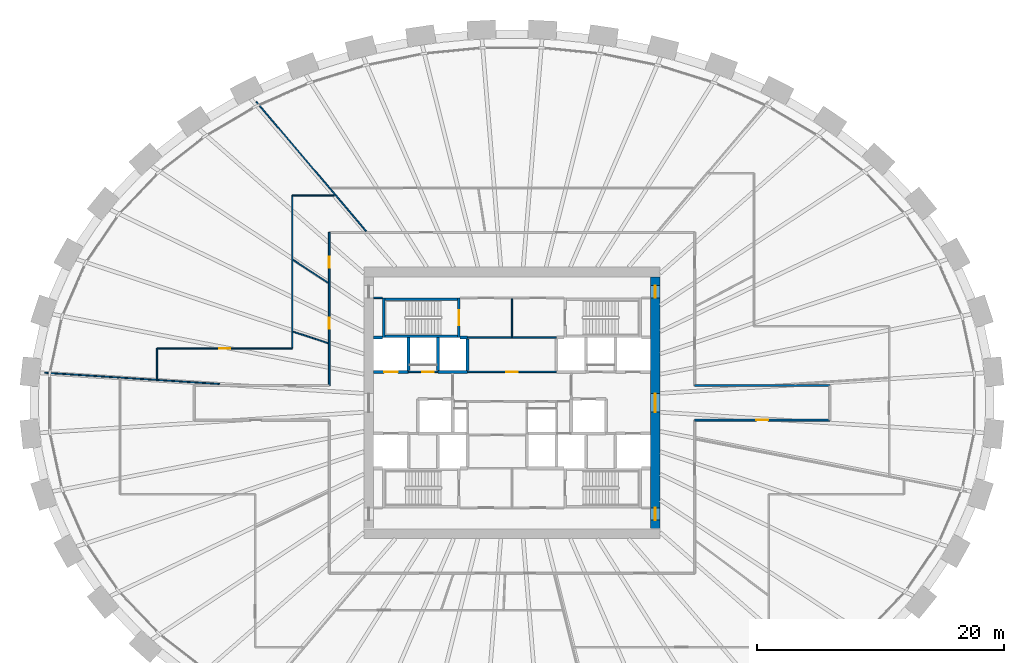
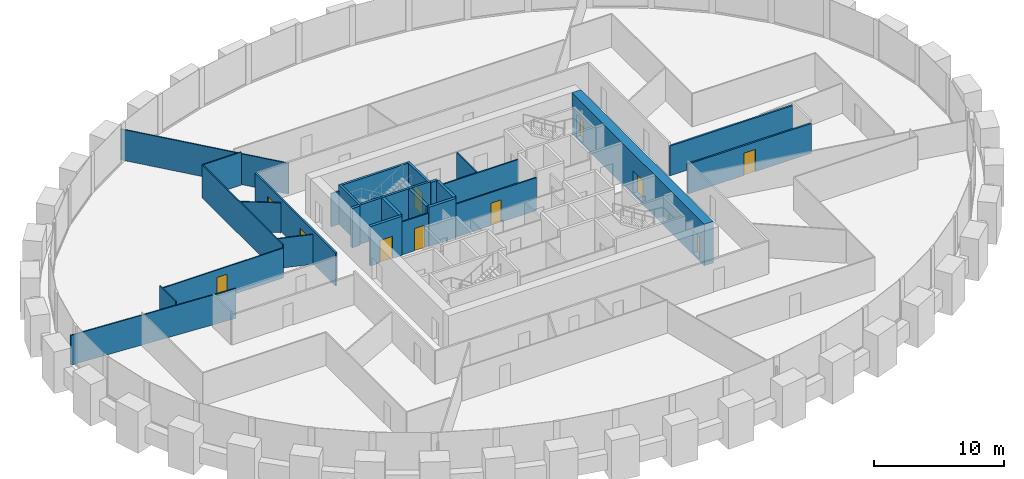
# One storey, part 8 of 11: 28 walls, 11 doors, 11 openings.
"""IFC4 building model written with IfcOpenShell, lengths in metres."""

from ifc_helpers import new_model, si_unit, direction, frame, frame_2d, origin, place, context, subcontext, project, spatial, rectangle, extrude, source, transform, mapped, material, layer, layer_set, type_object, element, fill, save


model = new_model("IFC4")

# Units and contexts
model_context = context("Model", 3, precision=1e-05, world=origin(), true_north=direction((0.0, 1.0)))
body_context = subcontext(model_context, "Body", "Model", "MODEL_VIEW")
ifc_project = project(units=[si_unit("LENGTHUNIT", "METRE"), si_unit("AREAUNIT", "SQUARE_METRE"), si_unit("VOLUMEUNIT", "CUBIC_METRE"), si_unit("PLANEANGLEUNIT", "RADIAN"), si_unit("MASSUNIT", "GRAM", prefix="KILO")], contexts=[model_context])

# Site, building, storey
site_placement = place(None, origin())
site = spatial("IfcSite", under=ifc_project, at=site_placement, CompositionType="ELEMENT")
building_placement = place(site_placement, origin())
building = spatial("IfcBuilding", under=site, at=building_placement, Name="Embergate Tower", CompositionType="ELEMENT")
storey_placement = place(building_placement, frame((0.0, 0.0, 135.89990234375)))
storey = spatial("IfcBuildingStorey", under=building, at=storey_placement, Name="L29", CompositionType="ELEMENT", Elevation=135.89990234375)

# Wall, openings, doors
ifc_material_1 = material(Name="Concrete C70", Category="concrete")
ifc_layer_1 = layer(ifc_material_1, 0.800048828125)
ifc_layer_set_1 = layer_set([ifc_layer_1], Name="Concrete C70")
wall_type_1 = type_object("IfcWallType", Name="Core outer wall C70 800", PredefinedType="SHEAR", material=ifc_layer_set_1)
shared_shape_1 = source(origin(), body_context, "Body", "SweptSolid", [
    extrude(rectangle(XDim=20.39990234375, YDim=0.800048828125, at=frame_2d((10.199951171875, 0.0))), origin(), (0.0, 0.0, 1.0), 3.900146484375),
])
wall_1_placement = place(storey_placement, frame((11.60009765625, -10.199951171875, -0.199951171875), z_axis=(0.0, 0.0, 1.0), x_axis=(0.0, 1.0, 0.0)))
wall_1 = element("IfcWall", 1, at=wall_1_placement, inside=storey, type_object=wall_type_1, Name="CW-L29-E", PredefinedType="SHEAR", context=body_context, shape_type="MappedRepresentation", body=[
    mapped(shared_shape_1, transform((0.0, 0.0, 0.0))),
])
shared_shape_2 = source(origin(), body_context, "Body", "SweptSolid", [
    extrude(rectangle(XDim=1.0, YDim=2.10009765625, at=frame_2d((0.5, 1.050048828125))), frame((0.0, 0.409912109375, 0.0), z_axis=(0.0, -1.0, 0.0), x_axis=(1.0, 0.0, 0.0)), (0.0, 0.0, 1.0), 0.820068359375),
])
opening_1_placement = place(wall_1_placement, frame((18.699951171875, 0.0, 0.199951171875)))
opening_1 = element("IfcOpeningElement", 2, at=opening_1_placement, cuts=wall_1, Name="Opening IF-1d", PredefinedType="OPENING", context=body_context, shape_type="MappedRepresentation", body=[
    mapped(shared_shape_2, transform((0.0, 0.0, 0.0))),
])
opening_2_placement = place(wall_1_placement, frame((0.699951171875, 0.0, 0.199951171875)))
opening_2 = element("IfcOpeningElement", 3, at=opening_2_placement, cuts=wall_1, Name="Opening IF-1d", PredefinedType="OPENING", context=body_context, shape_type="MappedRepresentation", body=[
    mapped(shared_shape_2, transform((0.0, 0.0, 0.0))),
])
shared_shape_3 = source(origin(), body_context, "Body", "SweptSolid", [
    extrude(rectangle(XDim=1.5, YDim=2.10009765625, at=frame_2d((0.75, 1.050048828125))), frame((0.0, 0.409912109375, 0.0), z_axis=(0.0, -1.0, 0.0), x_axis=(1.0, 0.0, 0.0)), (0.0, 0.0, 1.0), 0.820068359375),
])
opening_3_placement = place(wall_1_placement, frame((9.449951171875, 0.0, 0.199951171875)))
opening_3 = element("IfcOpeningElement", 4, at=opening_3_placement, cuts=wall_1, Name="Opening IF-3", PredefinedType="OPENING", context=body_context, shape_type="MappedRepresentation", body=[
    mapped(shared_shape_3, transform((0.0, 0.0, 0.0))),
])
ifc_material_2 = material(Name="Lobby fire door pair 1500")
door_type_1 = type_object("IfcDoorType", Name="Lobby fire door pair 1500", OperationType="DOUBLE_DOOR_SINGLE_SWING", PredefinedType="DOOR", material=ifc_material_2)
shared_shape_4 = source(origin(), body_context, "Body", "SweptSolid", [
    extrude(rectangle(XDim=1.5, YDim=2.10009765625, at=frame_2d((0.75, 1.050048828125))), frame((0.0, 0.02490234375, 0.0), z_axis=(0.0, -1.0, 0.0), x_axis=(1.0, 0.0, 0.0)), (0.0, 0.0, 1.0), 0.050048828125),
])
door_1_placement = place(opening_3_placement, origin())
door_1 = element("IfcDoor", 5, at=door_1_placement, inside=storey, type_object=door_type_1, Name="IF-3 door", OperationType="DOUBLE_DOOR_SINGLE_SWING", OverallHeight=2.10009765625, OverallWidth=1.5, PredefinedType="DOOR", context=body_context, shape_type="MappedRepresentation", body=[
    mapped(shared_shape_4, transform((0.0, 0.0, 0.0))),
])
fill(opening_3, door_1)
ifc_material_3 = material(Name="Escape fire door 1000")
door_type_2 = type_object("IfcDoorType", Name="Escape fire door 1000", OperationType="SINGLE_SWING_LEFT", PredefinedType="DOOR", material=ifc_material_3)
shared_shape_5 = source(origin(), body_context, "Body", "SweptSolid", [
    extrude(rectangle(XDim=1.0, YDim=2.10009765625, at=frame_2d((0.5, 1.050048828125))), frame((0.0, 0.02490234375, 0.0), z_axis=(0.0, -1.0, 0.0), x_axis=(1.0, 0.0, 0.0)), (0.0, 0.0, 1.0), 0.050048828125),
])
door_2_placement = place(opening_1_placement, origin())
door_2 = element("IfcDoor", 6, at=door_2_placement, inside=storey, type_object=door_type_2, Name="IF-1 door", OperationType="SINGLE_SWING_RIGHT", OverallHeight=2.10009765625, OverallWidth=1.0, PredefinedType="DOOR", context=body_context, shape_type="MappedRepresentation", body=[
    mapped(shared_shape_5, transform((0.0, 0.0, 0.0))),
])
fill(opening_1, door_2)
door_3_placement = place(opening_2_placement, origin())
door_3 = element("IfcDoor", 7, at=door_3_placement, inside=storey, type_object=door_type_2, Name="IF-1 door", OperationType="SINGLE_SWING_RIGHT", OverallHeight=2.10009765625, OverallWidth=1.0, PredefinedType="DOOR", context=body_context, shape_type="MappedRepresentation", body=[
    mapped(shared_shape_5, transform((0.0, 0.0, 0.0))),
])
fill(opening_2, door_3)

# Walls
ifc_material_4 = material(Name="Concrete C50", Category="concrete")
ifc_layer_2 = layer(ifc_material_4, 0.25)
ifc_layer_set_2 = layer_set([ifc_layer_2], Name="Concrete C50")
wall_type_2 = type_object("IfcWallType", Name="Hoistway wall reinforced concrete 250", PredefinedType="SHEAR", material=ifc_layer_set_2)
shared_shape_6 = source(origin(), body_context, "Body", "SweptSolid", [
    extrude(rectangle(XDim=2.675048828125, YDim=0.25, at=frame_2d((1.33740234375, 0.0))), origin(), (0.0, 0.0, 1.0), 3.7001953125),
])
for number, where, z_axis, x_axis, name in (
    (8, (-8.39990234375, 2.625, 0.0), (0.0, 0.0, 1.0), (0.0, 1.0, 0.0), "HW-1 wall"),
    (9, (-6.0, 2.625, 0.0), (0.0, 0.0, 1.0), (0.0, 1.0, 0.0), "HW-1 wall"),
):
    element("IfcWall", number, at=place(storey_placement, frame(where, z_axis=z_axis, x_axis=x_axis)), inside=storey, type_object=wall_type_2, Name=name, PredefinedType="SHEAR", context=body_context, shape_type="MappedRepresentation", body=[
        mapped(shared_shape_6, transform((0.0, 0.0, 0.0))),
    ])
ifc_layer_3 = layer(ifc_material_4, 0.199951171875)
ifc_layer_set_3 = layer_set([ifc_layer_3], Name="Concrete C50")
wall_type_3 = type_object("IfcWallType", Name="Stair enclosure wall reinforced concrete 250", PredefinedType="SHEAR", material=ifc_layer_set_3)
shared_shape_7 = source(origin(), body_context, "Body", "SweptSolid", [
    extrude(rectangle(XDim=6.300048828125, YDim=0.199951171875, at=frame_2d((3.14990234375, 0.0))), origin(), (0.0, 0.0, 1.0), 3.7001953125),
])
for number, where, z_axis, x_axis, name in (
    (10, (-4.199951171875, 5.39990234375, 0.0), (0.0, 0.0, 1.0), (-1.0, 0.0, 0.0), "SE-1 wall"),
    (11, (-4.199951171875, 8.39990234375, 0.0), (0.0, 0.0, 1.0), (-1.0, 0.0, 0.0), "SE-1 wall"),
):
    element("IfcWall", number, at=place(storey_placement, frame(where, z_axis=z_axis, x_axis=x_axis)), inside=storey, type_object=wall_type_3, Name=name, PredefinedType="SHEAR", context=body_context, shape_type="MappedRepresentation", body=[
        mapped(shared_shape_7, transform((0.0, 0.0, 0.0))),
    ])
shared_shape_8 = source(origin(), body_context, "Body", "SweptSolid", [
    extrude(rectangle(XDim=2.550048828125, YDim=0.25, at=frame_2d((1.27490234375, 0.0))), origin(), (0.0, 0.0, 1.0), 3.7001953125),
])
wall_2_placement = place(storey_placement, frame((-3.60009765625, 2.625, 0.0), z_axis=(0.0, 0.0, 1.0), x_axis=(0.0, 1.0, 0.0)))
element("IfcWall", 12, at=wall_2_placement, inside=storey, type_object=wall_type_2, Name="HW-1 wall", PredefinedType="SHEAR", context=body_context, shape_type="MappedRepresentation", body=[
    mapped(shared_shape_8, transform((0.0, 0.0, 0.0))),
])

# Wall, opening, door
shared_shape_9 = source(origin(), body_context, "Body", "SweptSolid", [
    extrude(rectangle(XDim=3.199951171875, YDim=0.199951171875, at=frame_2d((1.60009765625, 0.0))), origin(), (0.0, 0.0, 1.0), 3.7001953125),
])
wall_3_placement = place(storey_placement, frame((-4.300048828125, 5.300048828125, 0.0), z_axis=(0.0, 0.0, 1.0), x_axis=(0.0, 1.0, 0.0)))
wall_3 = element("IfcWall", 13, at=wall_3_placement, inside=storey, type_object=wall_type_3, Name="SE-1 wall", PredefinedType="SHEAR", context=body_context, shape_type="MappedRepresentation", body=[
    mapped(shared_shape_9, transform((0.0, 0.0, 0.0))),
])
shared_shape_10 = source(origin(), body_context, "Body", "SweptSolid", [
    extrude(rectangle(XDim=1.199951171875, YDim=2.10009765625, at=frame_2d((0.60009765625, 1.050048828125))), frame((0.0, 0.10986328125, 0.0), z_axis=(0.0, -1.0, 0.0), x_axis=(1.0, 0.0, 0.0)), (0.0, 0.0, 1.0), 0.219970703125),
])
opening_4_placement = place(wall_3_placement, frame((1.0, 0.0, 0.0)))
opening_4 = element("IfcOpeningElement", 14, at=opening_4_placement, cuts=wall_3, Name="Opening IF-2", PredefinedType="OPENING", context=body_context, shape_type="MappedRepresentation", body=[
    mapped(shared_shape_10, transform((0.0, 0.0, 0.0))),
])
ifc_material_5 = material(Name="Stair enclosure door 1200")
door_type_3 = type_object("IfcDoorType", Name="Stair enclosure door 1200", OperationType="SINGLE_SWING_LEFT", PredefinedType="DOOR", material=ifc_material_5)
shared_shape_11 = source(origin(), body_context, "Body", "SweptSolid", [
    extrude(rectangle(XDim=1.199951171875, YDim=2.10009765625, at=frame_2d((0.60009765625, 1.050048828125))), frame((0.0, 0.02490234375, 0.0), z_axis=(0.0, -1.0, 0.0), x_axis=(1.0, 0.0, 0.0)), (0.0, 0.0, 1.0), 0.050048828125),
])
door_4_placement = place(opening_4_placement, origin())
door_4 = element("IfcDoor", 15, at=door_4_placement, inside=storey, type_object=door_type_3, Name="IF-2 door", OperationType="SINGLE_SWING_LEFT", OverallHeight=2.10009765625, OverallWidth=1.199951171875, PredefinedType="DOOR", context=body_context, shape_type="MappedRepresentation", body=[
    mapped(shared_shape_11, transform((0.0, 0.0, 0.0))),
])
fill(opening_4, door_4)

# Wall
shared_shape_12 = source(origin(), body_context, "Body", "SweptSolid", [
    extrude(rectangle(XDim=2.39990234375, YDim=0.25, at=frame_2d((1.199951171875, 0.0))), origin(), (0.0, 0.0, 1.0), 3.7001953125),
])
wall_4_placement = place(storey_placement, frame((-6.0, 2.5, 0.0), z_axis=(0.0, 0.0, 1.0), x_axis=(1.0, 0.0, 0.0)))
element("IfcWall", 16, at=wall_4_placement, inside=storey, type_object=wall_type_2, Name="HW-1 wall", PredefinedType="SHEAR", context=body_context, shape_type="MappedRepresentation", body=[
    mapped(shared_shape_12, transform((0.0, 0.0, 0.0))),
])

# Wall, openings, doors
ifc_material_6 = material(Name="Corridor wall dry-lined 150 wet")
ifc_layer_4 = layer(ifc_material_6, 0.14990234375)
ifc_layer_set_4 = layer_set([ifc_layer_4], Name="Corridor wall dry-lined 150 wet")
wall_type_4 = type_object("IfcWallType", Name="Corridor wall dry-lined 150 wet", PredefinedType="PLUMBINGWALL", material=ifc_layer_set_4)
shared_shape_13 = source(origin(), body_context, "Body", "SweptSolid", [
    extrude(rectangle(XDim=12.400146484375, YDim=0.14990234375, at=frame_2d((6.2001953125, 0.0))), origin(), (0.0, 0.0, 1.0), 3.10009765625),
])
wall_5_placement = place(storey_placement, frame((-14.800048828125, 1.39990234375, 0.0), z_axis=(0.0, 0.0, 1.0), x_axis=(0.0, 1.0, 0.0)))
wall_5 = element("IfcWall", 17, at=wall_5_placement, inside=storey, type_object=wall_type_4, Name="IP-2 wall", PredefinedType="PLUMBINGWALL", context=body_context, shape_type="MappedRepresentation", body=[
    mapped(shared_shape_13, transform((0.0, 0.0, 0.0))),
])
shared_shape_14 = source(origin(), body_context, "Body", "SweptSolid", [
    extrude(rectangle(XDim=0.89990234375, YDim=2.10009765625, at=frame_2d((0.449951171875, 1.050048828125))), frame((0.0, 0.0849609375, 0.0), z_axis=(0.0, -1.0, 0.0), x_axis=(1.0, 0.0, 0.0)), (0.0, 0.0, 1.0), 0.169921875),
])
opening_5_placement = place(wall_5_placement, frame((9.5380859375, 0.0, 0.0)))
opening_5 = element("IfcOpeningElement", 18, at=opening_5_placement, cuts=wall_5, Name="Opening IF-1c", PredefinedType="OPENING", context=body_context, shape_type="MappedRepresentation", body=[
    mapped(shared_shape_14, transform((0.0, 0.0, 0.0))),
])
opening_6_placement = place(wall_5_placement, frame((4.580078125, 0.0, 0.0)))
opening_6 = element("IfcOpeningElement", 19, at=opening_6_placement, cuts=wall_5, Name="Opening IF-1c", PredefinedType="OPENING", context=body_context, shape_type="MappedRepresentation", body=[
    mapped(shared_shape_14, transform((0.0, 0.0, 0.0))),
])
ifc_material_7 = material(Name="Escape fire door 900")
door_type_4 = type_object("IfcDoorType", Name="Escape fire door 900", OperationType="SINGLE_SWING_LEFT", PredefinedType="DOOR", material=ifc_material_7)
shared_shape_15 = source(origin(), body_context, "Body", "SweptSolid", [
    extrude(rectangle(XDim=0.89990234375, YDim=2.10009765625, at=frame_2d((0.449951171875, 1.050048828125))), frame((0.0, 0.02490234375, 0.0), z_axis=(0.0, -1.0, 0.0), x_axis=(1.0, 0.0, 0.0)), (0.0, 0.0, 1.0), 0.050048828125),
])
door_5_placement = place(opening_5_placement, origin())
door_5 = element("IfcDoor", 20, at=door_5_placement, inside=storey, type_object=door_type_4, Name="IF-1 door", OperationType="SINGLE_SWING_RIGHT", OverallHeight=2.10009765625, OverallWidth=0.89990234375, PredefinedType="DOOR", context=body_context, shape_type="MappedRepresentation", body=[
    mapped(shared_shape_15, transform((0.0, 0.0, 0.0))),
])
fill(opening_5, door_5)
door_6_placement = place(opening_6_placement, origin())
door_6 = element("IfcDoor", 21, at=door_6_placement, inside=storey, type_object=door_type_4, Name="IF-1 door", OperationType="SINGLE_SWING_RIGHT", OverallHeight=2.10009765625, OverallWidth=0.89990234375, PredefinedType="DOOR", context=body_context, shape_type="MappedRepresentation", body=[
    mapped(shared_shape_15, transform((0.0, 0.0, 0.0))),
])
fill(opening_6, door_6)

# Wall, opening, door
ifc_material_8 = material(Name="Corridor wall dry-lined 150")
ifc_layer_5 = layer(ifc_material_8, 0.14990234375)
ifc_layer_set_5 = layer_set([ifc_layer_5], Name="Corridor wall dry-lined 150")
wall_type_5 = type_object("IfcWallType", Name="Corridor wall dry-lined 150", PredefinedType="PARTITIONING", material=ifc_layer_set_5)
shared_shape_16 = source(origin(), body_context, "Body", "SweptSolid", [
    extrude(rectangle(XDim=10.949951171875, YDim=0.14990234375, at=frame_2d((5.47509765625, 0.0))), origin(), (0.0, 0.0, 1.0), 2.800048828125),
])
wall_6_placement = place(storey_placement, frame((14.800048828125, -1.39990234375, 0.0), z_axis=(0.0, 0.0, 1.0), x_axis=(1.0, 0.0, 0.0)))
wall_6 = element("IfcWall", 22, at=wall_6_placement, inside=storey, type_object=wall_type_5, Name="IP-2 wall", PredefinedType="PARTITIONING", context=body_context, shape_type="MappedRepresentation", body=[
    mapped(shared_shape_16, transform((0.0, 0.0, 0.0))),
])
shared_shape_17 = source(origin(), body_context, "Body", "SweptSolid", [
    extrude(rectangle(XDim=1.0, YDim=2.10009765625, at=frame_2d((0.5, 1.050048828125))), frame((0.0, 0.0849609375, 0.0), z_axis=(0.0, -1.0, 0.0), x_axis=(1.0, 0.0, 0.0)), (0.0, 0.0, 1.0), 0.169921875),
])
opening_7_placement = place(wall_6_placement, frame((4.97509765625, 0.0, 0.0)))
opening_7 = element("IfcOpeningElement", 23, at=opening_7_placement, cuts=wall_6, Name="Opening ID-2", PredefinedType="OPENING", context=body_context, shape_type="MappedRepresentation", body=[
    mapped(shared_shape_17, transform((0.0, 0.0, 0.0))),
])
ifc_material_9 = material(Name="Interior door 1000")
door_type_5 = type_object("IfcDoorType", Name="Interior door 1000", OperationType="SINGLE_SWING_LEFT", PredefinedType="DOOR", material=ifc_material_9)
door_7_placement = place(opening_7_placement, origin())
door_7 = element("IfcDoor", 24, at=door_7_placement, inside=storey, type_object=door_type_5, Name="ID-2 door", OperationType="SINGLE_SWING_RIGHT", OverallHeight=2.10009765625, OverallWidth=1.0, PredefinedType="DOOR", context=body_context, shape_type="MappedRepresentation", body=[
    mapped(shared_shape_5, transform((0.0, 0.0, 0.0))),
])
fill(opening_7, door_7)

# Walls
wall_7_placement = place(storey_placement, frame((25.75, 1.39990234375, 0.0), z_axis=(0.0, 0.0, 1.0), x_axis=(-1.0, 0.0, 0.0)))
element("IfcWall", 25, at=wall_7_placement, inside=storey, type_object=wall_type_5, Name="IP-2 wall", PredefinedType="PARTITIONING", context=body_context, shape_type="MappedRepresentation", body=[
    mapped(shared_shape_16, transform((0.0, 0.0, 0.0))),
])
ifc_material_10 = material(Name="Partition dry-lined 100 wet")
ifc_layer_6 = layer(ifc_material_10, 0.10009765625)
ifc_layer_set_6 = layer_set([ifc_layer_6], Name="Partition dry-lined 100 wet")
wall_type_6 = type_object("IfcWallType", Name="Partition dry-lined 100 wet", PredefinedType="PLUMBINGWALL", material=ifc_layer_set_6)
shared_shape_18 = source(origin(), body_context, "Body", "SweptSolid", [
    extrude(rectangle(XDim=12.400146484375, YDim=0.10009765625, at=frame_2d((6.2001953125, 0.0))), origin(), (0.0, 0.0, 1.0), 3.10009765625),
])
wall_8_placement = place(storey_placement, frame((-17.800048828125, 4.39990234375, 0.0), z_axis=(0.0, 0.0, 1.0), x_axis=(0.0, 1.0, 0.0)))
element("IfcWall", 26, at=wall_8_placement, inside=storey, type_object=wall_type_6, Name="IP-1 wall", PredefinedType="PLUMBINGWALL", context=body_context, shape_type="MappedRepresentation", body=[
    mapped(shared_shape_18, transform((0.0, 0.0, 0.0))),
])
shared_shape_19 = source(origin(), body_context, "Body", "SweptSolid", [
    extrude(rectangle(XDim=3.368408203125, YDim=0.10009765625, at=frame_2d((1.68408203125, 0.0))), origin(), (0.0, 0.0, 1.0), 2.800048828125),
])
wall_9_placement = place(storey_placement, frame((-14.902099609375, 9.72802734375, 0.0), z_axis=(0.0, 0.0, 1.0), x_axis=(-0.837418774688, 0.546561795043, 0.0)))
element("IfcWall", 27, at=wall_9_placement, inside=storey, type_object=wall_type_6, Name="IP-1 wall", PredefinedType="PLUMBINGWALL", context=body_context, shape_type="MappedRepresentation", body=[
    mapped(shared_shape_19, transform((0.0, 0.0, 0.0))),
])
shared_shape_20 = source(origin(), body_context, "Body", "SweptSolid", [
    extrude(rectangle(XDim=3.421142578125, YDim=0.10009765625, at=frame_2d((1.71044921875, 0.0))), origin(), (0.0, 0.0, 1.0), 3.10009765625),
])
wall_10_placement = place(storey_placement, frame((-17.800048828125, 16.800048828125, 0.0), z_axis=(0.0, 0.0, 1.0), x_axis=(1.0, 0.0, 0.0)))
element("IfcWall", 28, at=wall_10_placement, inside=storey, type_object=wall_type_6, Name="IP-1 wall", PredefinedType="PLUMBINGWALL", context=body_context, shape_type="MappedRepresentation", body=[
    mapped(shared_shape_20, transform((0.0, 0.0, 0.0))),
])
shared_shape_21 = source(origin(), body_context, "Body", "SweptSolid", [
    extrude(rectangle(XDim=2.991455078125, YDim=0.10009765625, at=frame_2d((1.49560546875, 0.0))), origin(), (0.0, 0.0, 1.0), 2.800048828125),
])
wall_11_placement = place(storey_placement, frame((-14.889892578125, 4.8369140625, 0.0), z_axis=(0.0, 0.0, 1.0), x_axis=(-0.951095223794, 0.308897839545, 0.0)))
element("IfcWall", 29, at=wall_11_placement, inside=storey, type_object=wall_type_6, Name="IP-1 wall", PredefinedType="PLUMBINGWALL", context=body_context, shape_type="MappedRepresentation", body=[
    mapped(shared_shape_21, transform((0.0, 0.0, 0.0))),
])
shared_shape_22 = source(origin(), body_context, "Body", "SweptSolid", [
    extrude(rectangle(XDim=14.16845703125, YDim=0.10009765625, at=frame_2d((7.084228515625, 0.0))), origin(), (0.0, 0.0, 1.0), 2.800048828125),
])
wall_12_placement = place(storey_placement, frame((-23.69189453125, 1.52490234375, 0.0), z_axis=(0.0, 0.0, 1.0), x_axis=(-0.99793458386, 0.064238355642, 0.0)))
element("IfcWall", 30, at=wall_12_placement, inside=storey, type_object=wall_type_6, Name="IP-1 wall", PredefinedType="PLUMBINGWALL", context=body_context, shape_type="MappedRepresentation", body=[
    mapped(shared_shape_22, transform((0.0, 0.0, 0.0))),
])
shared_shape_23 = source(origin(), body_context, "Body", "SweptSolid", [
    extrude(rectangle(XDim=2.5, YDim=0.10009765625, at=frame_2d((1.25, 0.0))), origin(), (0.0, 0.0, 1.0), 3.10009765625),
])
wall_13_placement = place(storey_placement, frame((-28.75, 1.89990234375, 0.0), z_axis=(0.0, 0.0, 1.0), x_axis=(0.0, 1.0, 0.0)))
element("IfcWall", 31, at=wall_13_placement, inside=storey, type_object=wall_type_6, Name="IP-1 wall", PredefinedType="PLUMBINGWALL", context=body_context, shape_type="MappedRepresentation", body=[
    mapped(shared_shape_23, transform((0.0, 0.0, 0.0))),
])

# Wall, opening, door
shared_shape_24 = source(origin(), body_context, "Body", "SweptSolid", [
    extrude(rectangle(XDim=10.949951171875, YDim=0.10009765625, at=frame_2d((5.47509765625, 0.0))), origin(), (0.0, 0.0, 1.0), 2.800048828125),
])
wall_14_placement = place(storey_placement, frame((-28.75, 4.39990234375, 0.0), z_axis=(0.0, 0.0, 1.0), x_axis=(1.0, 0.0, 0.0)))
wall_14 = element("IfcWall", 32, at=wall_14_placement, inside=storey, type_object=wall_type_6, Name="IP-1 wall", PredefinedType="PLUMBINGWALL", context=body_context, shape_type="MappedRepresentation", body=[
    mapped(shared_shape_24, transform((0.0, 0.0, 0.0))),
])
shared_shape_25 = source(origin(), body_context, "Body", "SweptSolid", [
    extrude(rectangle(XDim=0.89990234375, YDim=2.10009765625, at=frame_2d((0.449951171875, 1.050048828125))), frame((0.0, 0.06005859375, 0.0), z_axis=(0.0, -1.0, 0.0), x_axis=(1.0, 0.0, 0.0)), (0.0, 0.0, 1.0), 0.1201171875),
])
opening_8_placement = place(wall_14_placement, frame((5.02490234375, 0.0, 0.0)))
opening_8 = element("IfcOpeningElement", 33, at=opening_8_placement, cuts=wall_14, Name="Opening ID-1", PredefinedType="OPENING", context=body_context, shape_type="MappedRepresentation", body=[
    mapped(shared_shape_25, transform((0.0, 0.0, 0.0))),
])
ifc_material_11 = material(Name="Interior door 900")
door_type_6 = type_object("IfcDoorType", Name="Interior door 900", OperationType="SINGLE_SWING_LEFT", PredefinedType="DOOR", material=ifc_material_11)
door_8_placement = place(opening_8_placement, origin())
door_8 = element("IfcDoor", 34, at=door_8_placement, inside=storey, type_object=door_type_6, Name="ID-1 door", OperationType="SINGLE_SWING_LEFT", OverallHeight=2.10009765625, OverallWidth=0.89990234375, PredefinedType="DOOR", context=body_context, shape_type="MappedRepresentation", body=[
    mapped(shared_shape_15, transform((0.0, 0.0, 0.0))),
])
fill(opening_8, door_8)

ifc_material_12 = material(Name="Core partition blockwork 120")
ifc_layer_7 = layer(ifc_material_12, 0.1201171875)
ifc_layer_set_7 = layer_set([ifc_layer_7], Name="Core partition blockwork 120")
wall_type_7 = type_object("IfcWallType", Name="Core partition blockwork 120", PredefinedType="PARTITIONING", material=ifc_layer_set_7)
shared_shape_26 = source(origin(), body_context, "Body", "SweptSolid", [
    extrude(rectangle(XDim=2.39990234375, YDim=0.1201171875, at=frame_2d((1.199951171875, 0.0))), origin(), (0.0, 0.0, 1.0), 3.10009765625),
])
wall_15_placement = place(storey_placement, frame((-8.39990234375, 2.5, 0.0), z_axis=(0.0, 0.0, 1.0), x_axis=(1.0, 0.0, 0.0)))
wall_15 = element("IfcWall", 35, at=wall_15_placement, inside=storey, type_object=wall_type_7, Name="IP-3 wall", PredefinedType="PARTITIONING", context=body_context, shape_type="MappedRepresentation", body=[
    mapped(shared_shape_26, transform((0.0, 0.0, 0.0))),
])
shared_shape_27 = source(origin(), body_context, "Body", "SweptSolid", [
    extrude(rectangle(XDim=0.89990234375, YDim=2.10009765625, at=frame_2d((0.449951171875, 1.050048828125))), frame((0.0, 0.070068359375, 0.0), z_axis=(0.0, -1.0, 0.0), x_axis=(1.0, 0.0, 0.0)), (0.0, 0.0, 1.0), 0.14013671875),
])
opening_9_placement = place(wall_15_placement, frame((1.14990234375, 0.0, 0.0)))
opening_9 = element("IfcOpeningElement", 36, at=opening_9_placement, cuts=wall_15, Name="Opening ID-1", PredefinedType="OPENING", context=body_context, shape_type="MappedRepresentation", body=[
    mapped(shared_shape_27, transform((0.0, 0.0, 0.0))),
])
door_9_placement = place(opening_9_placement, origin())
door_9 = element("IfcDoor", 37, at=door_9_placement, inside=storey, type_object=door_type_6, Name="ID-1 door", OperationType="SINGLE_SWING_RIGHT", OverallHeight=2.10009765625, OverallWidth=0.89990234375, PredefinedType="DOOR", context=body_context, shape_type="MappedRepresentation", body=[
    mapped(shared_shape_15, transform((0.0, 0.0, 0.0))),
])
fill(opening_9, door_9)

shared_shape_28 = source(origin(), body_context, "Body", "SweptSolid", [
    extrude(rectangle(XDim=7.2001953125, YDim=0.1201171875, at=frame_2d((3.60009765625, 0.0))), origin(), (0.0, 0.0, 1.0), 3.10009765625),
])
wall_16_placement = place(storey_placement, frame((3.60009765625, 2.5, 0.0), z_axis=(0.0, 0.0, 1.0), x_axis=(-1.0, 0.0, 0.0)))
wall_16 = element("IfcWall", 38, at=wall_16_placement, inside=storey, type_object=wall_type_7, Name="IP-3 wall", PredefinedType="PARTITIONING", context=body_context, shape_type="MappedRepresentation", body=[
    mapped(shared_shape_28, transform((0.0, 0.0, 0.0))),
])
opening_10_placement = place(wall_16_placement, frame((3.14990234375, 0.0, 0.0)))
opening_10 = element("IfcOpeningElement", 39, at=opening_10_placement, cuts=wall_16, Name="Opening ID-1", PredefinedType="OPENING", context=body_context, shape_type="MappedRepresentation", body=[
    mapped(shared_shape_27, transform((0.0, 0.0, 0.0))),
])
door_10_placement = place(opening_10_placement, origin())
door_10 = element("IfcDoor", 40, at=door_10_placement, inside=storey, type_object=door_type_6, Name="ID-1 door", OperationType="SINGLE_SWING_LEFT", OverallHeight=2.10009765625, OverallWidth=0.89990234375, PredefinedType="DOOR", context=body_context, shape_type="MappedRepresentation", body=[
    mapped(shared_shape_15, transform((0.0, 0.0, 0.0))),
])
fill(opening_10, door_10)

# Walls
wall_17_placement = place(storey_placement, frame((-3.60009765625, 5.300048828125, 0.0), z_axis=(0.0, 0.0, 1.0), x_axis=(1.0, 0.0, 0.0)))
element("IfcWall", 41, at=wall_17_placement, inside=storey, type_object=wall_type_7, Name="IP-3 wall", PredefinedType="PARTITIONING", context=body_context, shape_type="MappedRepresentation", body=[
    mapped(shared_shape_28, transform((0.0, 0.0, 0.0))),
])
shared_shape_29 = source(origin(), body_context, "Body", "SweptSolid", [
    extrude(rectangle(XDim=3.079833984375, YDim=0.1201171875, at=frame_2d((1.5400390625, 0.0))), origin(), (0.0, 0.0, 1.0), 3.10009765625),
])
wall_18_placement = place(storey_placement, frame((0.0, 5.360107421875, 0.0), z_axis=(0.0, 0.0, 1.0), x_axis=(0.0, 1.0, 0.0)))
element("IfcWall", 42, at=wall_18_placement, inside=storey, type_object=wall_type_7, Name="IP-3 wall", PredefinedType="PARTITIONING", context=body_context, shape_type="MappedRepresentation", body=[
    mapped(shared_shape_29, transform((0.0, 0.0, 0.0))),
])
shared_shape_30 = source(origin(), body_context, "Body", "SweptSolid", [
    extrude(rectangle(XDim=0.697998046875, YDim=0.1201171875, at=frame_2d((0.34912109375, 0.0))), origin(), (0.0, 0.0, 1.0), 3.10009765625),
])
wall_19_placement = place(storey_placement, frame((-11.199951171875, 8.5, 0.0), z_axis=(0.0, 0.0, 1.0), x_axis=(1.0, 0.0, 0.0)))
element("IfcWall", 43, at=wall_19_placement, inside=storey, type_object=wall_type_7, Name="IP-3 wall", PredefinedType="PARTITIONING", context=body_context, shape_type="MappedRepresentation", body=[
    mapped(shared_shape_30, transform((0.0, 0.0, 0.0))),
])
ifc_material_13 = material(Name="Partition dry-lined 100")
ifc_layer_8 = layer(ifc_material_13, 0.10009765625)
ifc_layer_set_8 = layer_set([ifc_layer_8], Name="Partition dry-lined 100")
wall_type_8 = type_object("IfcWallType", Name="Partition dry-lined 100", PredefinedType="PARTITIONING", material=ifc_layer_set_8)
shared_shape_31 = source(origin(), body_context, "Body", "SweptSolid", [
    extrude(rectangle(XDim=13.751953125, YDim=0.10009765625, at=frame_2d((6.8759765625, 0.0))), origin(), (0.0, 0.0, 1.0), 2.900146484375),
])
wall_20_placement = place(storey_placement, frame((-11.81396484375, 13.906982421875, 0.0), z_axis=(0.0, 0.0, 1.0), x_axis=(-0.647406181073, 0.762145154618, 0.0)))
element("IfcWall", 44, at=wall_20_placement, inside=storey, type_object=wall_type_8, Name="IP-1 wall", PredefinedType="PARTITIONING", context=body_context, shape_type="MappedRepresentation", body=[
    mapped(shared_shape_31, transform((0.0, 0.0, 0.0))),
])

# Wall, opening, door
shared_shape_32 = source(origin(), body_context, "Body", "SweptSolid", [
    extrude(rectangle(XDim=2.800048828125, YDim=0.25, at=frame_2d((1.39990234375, 0.0))), origin(), (0.0, 0.0, 1.0), 3.7001953125),
])
wall_21_placement = place(storey_placement, frame((-11.199951171875, 2.5, 0.0), z_axis=(0.0, 0.0, 1.0), x_axis=(1.0, 0.0, 0.0)))
wall_21 = element("IfcWall", 45, at=wall_21_placement, inside=storey, type_object=wall_type_2, Name="HW-1 wall", PredefinedType="SHEAR", context=body_context, shape_type="MappedRepresentation", body=[
    mapped(shared_shape_32, transform((0.0, 0.0, 0.0))),
])
shared_shape_33 = source(origin(), body_context, "Body", "SweptSolid", [
    extrude(rectangle(XDim=1.10009765625, YDim=2.10009765625, at=frame_2d((0.550048828125, 1.050048828125))), frame((0.0, 0.135009765625, 0.0), z_axis=(0.0, -1.0, 0.0), x_axis=(1.0, 0.0, 0.0)), (0.0, 0.0, 1.0), 0.27001953125),
])
opening_11_placement = place(wall_21_placement, frame((0.85009765625, 0.0, 0.0)))
opening_11 = element("IfcOpeningElement", 46, at=opening_11_placement, cuts=wall_21, Name="Opening LD", PredefinedType="OPENING", context=body_context, shape_type="MappedRepresentation", body=[
    mapped(shared_shape_33, transform((0.0, 0.0, 0.0))),
])
ifc_material_14 = material(Name="Landing door sliding 1100")
door_type_7 = type_object("IfcDoorType", Name="Landing door sliding 1100", OperationType="SLIDING_TO_LEFT", PredefinedType="DOOR", material=ifc_material_14)
shared_shape_34 = source(origin(), body_context, "Body", "SweptSolid", [
    extrude(rectangle(XDim=1.10009765625, YDim=2.10009765625, at=frame_2d((0.550048828125, 1.050048828125))), frame((0.0, 0.02490234375, 0.0), z_axis=(0.0, -1.0, 0.0), x_axis=(1.0, 0.0, 0.0)), (0.0, 0.0, 1.0), 0.050048828125),
])
door_11_placement = place(opening_11_placement, origin())
door_11 = element("IfcDoor", 47, at=door_11_placement, inside=storey, type_object=door_type_7, Name="LD door", OperationType="SLIDING_TO_RIGHT", OverallHeight=2.10009765625, OverallWidth=1.10009765625, PredefinedType="DOOR", context=body_context, shape_type="MappedRepresentation", body=[
    mapped(shared_shape_34, transform((0.0, 0.0, 0.0))),
])
fill(opening_11, door_11)

# Walls
shared_shape_35 = source(origin(), body_context, "Body", "SweptSolid", [
    extrude(rectangle(XDim=0.599853515625, YDim=0.25, at=frame_2d((0.2998046875, 0.0))), origin(), (0.0, 0.0, 1.0), 3.7001953125),
])
wall_22_placement = place(storey_placement, frame((-3.60009765625, 5.300048828125, 0.0), z_axis=(0.0, 0.0, 1.0), x_axis=(-1.0, 0.0, 0.0)))
element("IfcWall", 48, at=wall_22_placement, inside=storey, type_object=wall_type_2, Name="HW-1 wall", PredefinedType="SHEAR", context=body_context, shape_type="MappedRepresentation", body=[
    mapped(shared_shape_35, transform((0.0, 0.0, 0.0))),
])
shared_shape_36 = source(origin(), body_context, "Body", "SweptSolid", [
    extrude(rectangle(XDim=3.196044921875, YDim=0.199951171875, at=frame_2d((1.59814453125, 0.0))), origin(), (0.0, 0.0, 1.0), 3.7001953125),
])
wall_23_placement = place(storey_placement, frame((-10.39990234375, 8.498046875, 0.0), z_axis=(0.0, 0.0, 1.0), x_axis=(0.0, -1.0, 0.0)))
element("IfcWall", 49, at=wall_23_placement, inside=storey, type_object=wall_type_3, Name="SE-1 wall", PredefinedType="SHEAR", context=body_context, shape_type="MappedRepresentation", body=[
    mapped(shared_shape_36, transform((0.0, 0.0, 0.0))),
])
shared_shape_37 = source(origin(), body_context, "Body", "SweptSolid", [
    extrude(rectangle(XDim=0.697998046875, YDim=0.25, at=frame_2d((0.34912109375, 0.0))), origin(), (0.0, 0.0, 1.0), 3.7001953125),
])
wall_24_placement = place(storey_placement, frame((-10.501953125, 5.300048828125, 0.0), z_axis=(0.0, 0.0, 1.0), x_axis=(-1.0, 0.0, 0.0)))
element("IfcWall", 50, at=wall_24_placement, inside=storey, type_object=wall_type_2, Name="HW-1 wall", PredefinedType="SHEAR", context=body_context, shape_type="MappedRepresentation", body=[
    mapped(shared_shape_37, transform((0.0, 0.0, 0.0))),
])

save(model, "model.ifc")
